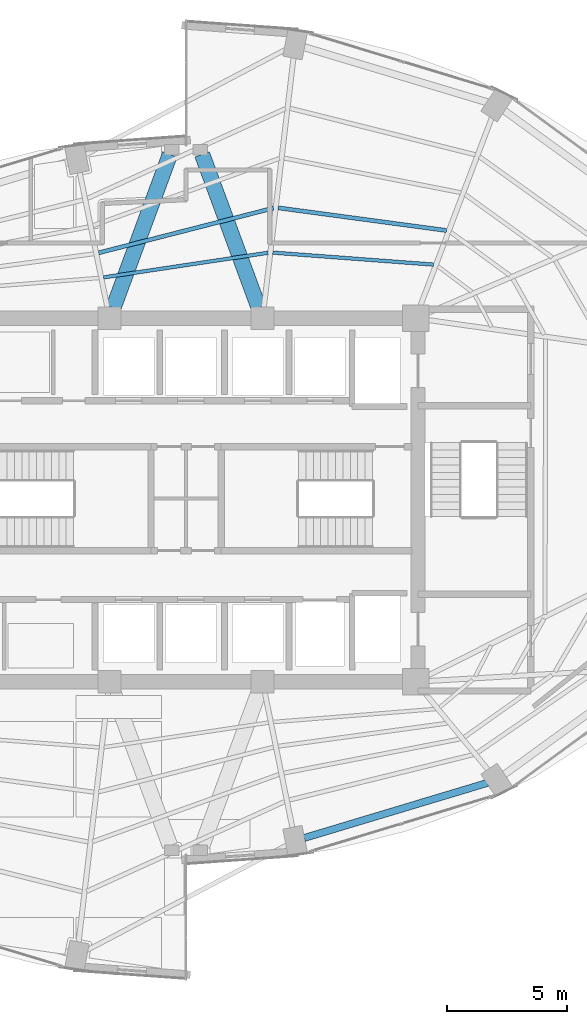
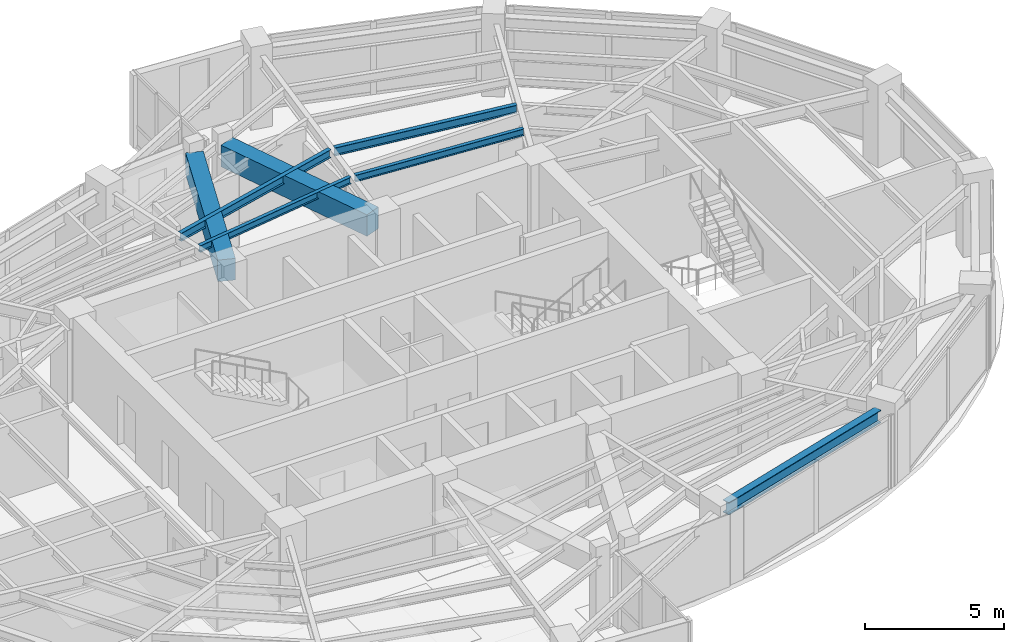
# One storey, part 8 of 20: 7 beams.
"""IFC4 building model written with IfcOpenShell, lengths in metres."""

import ifcopenshell
import ifcopenshell.guid

model = None  # the IFC model being written
_history = None  # IfcOwnerHistory: only IFC2X3 demands one
_inside = {}  # id of a spatial element -> (the spatial element, [elements in it])
_under = {}  # id of a project, library or spatial element -> (it, [spatial elements below it])
_declared = {}  # id of a project -> (the project, [libraries it declares])
_typed = {}  # id of a type object -> (the type object, [elements of that type])
_made_of = {}  # id of a material, layer set ... -> (it, [elements and type objects made of it])


def new_model(schema):
    """Start an empty IFC model of exactly this schema.

    Asked for "IFC4X3", IfcOpenShell would pick the latest addendum, in which some entities
    have other attributes; the version numbers below select the first issue.
    IFC2X3 requires an IfcOwnerHistory on every rooted entity: one is made here for all.
    """
    global model, _history
    if schema == "IFC4X3":
        model = ifcopenshell.file(schema_version=(4, 3, 0, 0))
    else:
        model = ifcopenshell.file(schema=schema)
    _inside.clear()
    _under.clear()
    _declared.clear()
    _typed.clear()
    _made_of.clear()
    _history = None
    if model.schema == "IFC2X3":
        org = make("IfcOrganization", Name="unknown")
        user = make(
            "IfcPersonAndOrganization",
            ThePerson=make("IfcPerson", FamilyName="unknown"),
            TheOrganization=org,
        )
        app = make(
            "IfcApplication",
            ApplicationDeveloper=org,
            Version="unknown",
            ApplicationFullName="unknown",
            ApplicationIdentifier="unknown",
        )
        _history = make(
            "IfcOwnerHistory",
            OwningUser=user,
            OwningApplication=app,
            ChangeAction="ADDED",
            CreationDate=0,
        )
    return model


def make(cls, **values):
    """One entity of the class cls with the attributes given. An attribute that is None is left unset."""
    return model.create_entity(
        cls, **{name: value for name, value in values.items() if value is not None}
    )


def rooted(cls, **values):
    """An entity with a GlobalId (a new one), such as an element, a storey or a relation."""
    return make(cls, GlobalId=ifcopenshell.guid.new(), OwnerHistory=_history, **values)


def si_unit(unit_type, name, prefix=None):
    """IfcSIUnit, for example si_unit("LENGTHUNIT", "METRE", prefix="MILLI")."""
    return make("IfcSIUnit", UnitType=unit_type, Prefix=prefix, Name=name)


def assignment(units):
    """IfcUnitAssignment: the units of a project."""
    return None if units is None else make("IfcUnitAssignment", Units=units)


def point(xyz):
    """IfcCartesianPoint."""
    return None if xyz is None else make("IfcCartesianPoint", Coordinates=xyz)


def direction(xyz):
    """IfcDirection."""
    return None if xyz is None else make("IfcDirection", DirectionRatios=xyz)


def frame(location, z_axis=None, x_axis=None):
    """IfcAxis2Placement3D, a coordinate frame: its origin and axes. An axis left out is left unset."""
    return make(
        "IfcAxis2Placement3D",
        Location=point(location),
        Axis=direction(z_axis),
        RefDirection=direction(x_axis),
    )


def frame_2d(location, x_axis=None):
    """IfcAxis2Placement2D, a coordinate frame in the plane: its origin and x axis."""
    return make(
        "IfcAxis2Placement2D", Location=point(location), RefDirection=direction(x_axis)
    )


def origin():
    """The frame at (0, 0, 0) with its axes left unset."""
    return frame((0.0, 0.0, 0.0))


def origin_2d():
    """The frame at (0, 0) in the plane with its x axis left unset."""
    return frame_2d((0.0, 0.0))


def place(relative_to, where):
    """IfcLocalPlacement: puts the frame where relative to a parent placement (None: the world)."""
    return make(
        "IfcLocalPlacement", PlacementRelTo=relative_to, RelativePlacement=where
    )


def context(
    kind, dimensions, precision=None, world=None, true_north=None, identifier=None
):
    """IfcGeometricRepresentationContext, for example the 3D "Model" context."""
    return make(
        "IfcGeometricRepresentationContext",
        ContextIdentifier=identifier,
        ContextType=kind,
        CoordinateSpaceDimension=dimensions,
        Precision=precision,
        WorldCoordinateSystem=world,
        TrueNorth=true_north,
    )


def subcontext(parent, identifier, kind, view, scale=None):
    """IfcGeometricRepresentationSubContext, for example "Body" below "Model"."""
    return make(
        "IfcGeometricRepresentationSubContext",
        ContextIdentifier=identifier,
        ContextType=kind,
        ParentContext=parent,
        TargetScale=scale,
        TargetView=view,
    )


def project(units=None, contexts=None):
    """IfcProject with its units and contexts."""
    return rooted(
        "IfcProject",
        Name="project",
        RepresentationContexts=contexts,
        UnitsInContext=assignment(units),
    )


def spatial(cls, under=None, at=None, **own):
    """A site, building, storey or space (cls), placed at a placement, below another one or the project."""
    s = rooted(cls, ObjectPlacement=at, **own)
    if under is not None:
        _under.setdefault(under.id(), (under, []))[1].append(s)
    return s


def profile(cls, at=None, kind="AREA", **sizes):
    """A parametric profile (cls). Its sizes go by their IFC names, for example OverallWidth=200.0."""
    return make(cls, ProfileType=kind, Position=at, **sizes)


def rectangle(**sizes):
    """IfcRectangleProfileDef."""
    return profile("IfcRectangleProfileDef", **sizes)


def i_section(**sizes):
    """IfcIShapeProfileDef."""
    return profile("IfcIShapeProfileDef", **sizes)


def extrude(swept, where, along, depth):
    """IfcExtrudedAreaSolid: the profile swept, set in the frame where, extruded along a direction by depth."""
    return make(
        "IfcExtrudedAreaSolid",
        SweptArea=swept,
        Position=where,
        ExtrudedDirection=direction(along),
        Depth=depth,
    )


def shape(context_of_items, identifier, shape_type, items):
    """IfcShapeRepresentation: the items that make up one representation, for example the "Body"."""
    return make(
        "IfcShapeRepresentation",
        ContextOfItems=context_of_items,
        RepresentationIdentifier=identifier,
        RepresentationType=shape_type,
        Items=items,
    )


def material(Name=None, Category=None):
    """IfcMaterial."""
    return make("IfcMaterial", Name=Name, Category=Category)


def material_profile(
    of_material, cross_section, Name=None, Category=None, Priority=None
):
    """IfcMaterialProfile: a cross section and its material."""
    return make(
        "IfcMaterialProfile",
        Name=Name,
        Material=of_material,
        Profile=cross_section,
        Priority=Priority,
        Category=Category,
    )


def profile_set(profiles, Name=None, composite=None):
    """IfcMaterialProfileSet."""
    return make(
        "IfcMaterialProfileSet",
        Name=Name,
        MaterialProfiles=profiles,
        CompositeProfile=composite,
    )


def made_of(thing, what):
    """Note that an element or type object is made of a material, layer set ...; save() writes the relation."""
    if what is not None:
        _made_of.setdefault(what.id(), (what, []))[1].append(thing)
    return thing


def type_object(cls, material=None, **own):
    """A type object (cls), such as IfcWallType, which elements share."""
    return made_of(rooted(cls, **own), material)


def element(
    cls,
    number,
    at=None,
    inside=None,
    cuts=None,
    type_object=None,
    material=None,
    context=None,
    identifier="Body",
    shape_type=None,
    held_by="IfcProductDefinitionShape",
    body=None,
    shapes=None,
    **own,
):
    """One element of the class cls, such as IfcWall. Its Tag is "e" and its number.

    at: its placement. inside: the storey or other place that contains it. cuts: it is an
    opening in that element (IfcRelVoidsElement). A single representation is given by context,
    identifier, shape_type and body (its items); several are given by shapes. held_by: the class
    of the entity that holds the representations. save() writes the other relations.
    """
    e = rooted(cls, Tag="e%d" % number, ObjectPlacement=at, **own)
    if body is not None:
        shapes = [shape(context, identifier, shape_type, body)]
    if shapes is not None:
        e.Representation = make(held_by, Representations=shapes)
    if inside is not None:
        _inside.setdefault(inside.id(), (inside, []))[1].append(e)
    if cuts is not None:
        rooted(
            "IfcRelVoidsElement", RelatingBuildingElement=cuts, RelatedOpeningElement=e
        )
    if type_object is not None:
        _typed.setdefault(type_object.id(), (type_object, []))[1].append(e)
    return made_of(e, material)


def aggregate(whole, parts):
    """IfcRelAggregates: a whole, such as a stair, and the parts it consists of."""
    return rooted("IfcRelAggregates", RelatingObject=whole, RelatedObjects=parts)


def save(model, path):
    """Write the relations noted so far, then the file.

    IfcRelAggregates (storeys below a building ...), IfcRelContainedInSpatialStructure (elements
    in a storey), IfcRelDefinesByType, IfcRelAssociatesMaterial and IfcRelDeclares: one each for
    every whole, place, type object, material and project.
    """
    for whole, parts in _under.values():
        aggregate(whole, parts)
    for where, things in _inside.values():
        rooted(
            "IfcRelContainedInSpatialStructure",
            RelatedElements=things,
            RelatingStructure=where,
        )
    for kind, things in _typed.values():
        rooted("IfcRelDefinesByType", RelatedObjects=things, RelatingType=kind)
    for what, things in _made_of.values():
        rooted("IfcRelAssociatesMaterial", RelatedObjects=things, RelatingMaterial=what)
    for by, libraries in _declared.values():
        rooted("IfcRelDeclares", RelatingContext=by, RelatedDefinitions=libraries)
    model.write(path)


model = new_model("IFC4")

# Units and contexts
model_context = context("Model", 3, precision=1e-05, world=origin(), true_north=direction((0.0, 1.0)))
body_context = subcontext(model_context, "Body", "Model", "MODEL_VIEW")
ifc_project = project(units=[si_unit("LENGTHUNIT", "METRE"), si_unit("AREAUNIT", "SQUARE_METRE"), si_unit("VOLUMEUNIT", "CUBIC_METRE"), si_unit("PLANEANGLEUNIT", "RADIAN"), si_unit("MASSUNIT", "GRAM", prefix="KILO")], contexts=[model_context])

# Site, building, storey
site_placement = place(None, origin())
site = spatial("IfcSite", under=ifc_project, at=site_placement, CompositionType="ELEMENT")
building_placement = place(site_placement, origin())
building = spatial("IfcBuilding", under=site, at=building_placement, Name="Lazwardi Medical Tower", CompositionType="ELEMENT")
storey_placement = place(building_placement, frame((0.0, 0.0, 185.7119140625)))
storey = spatial("IfcBuildingStorey", under=building, at=storey_placement, Name="L48", CompositionType="ELEMENT", Elevation=185.7119140625)

# Beams
ifc_material_1 = material(Name="Concrete C60/75", Category="concrete")
ifc_material_profile_1 = material_profile(ifc_material_1, rectangle(XDim=0.64990234375, YDim=0.949951171875, at=origin_2d()), Name="RC 650x950")
ifc_profile_set_1 = profile_set([ifc_material_profile_1], Name="Concrete C60/75")
beam_type_1 = type_object("IfcBeamType", Name="BM-CB-RC2", PredefinedType="LINTEL", material=ifc_profile_set_1)
for number, where, z_axis, x_axis, name in (
    (1, (32.959228515625, 36.031494140625, 2.72314453125), (0.34601281054, 0.938229787921, 0.0), (-0.938229787921, 0.34601281054, 0.0), "Core coupling lintel CB-02 PL1 L48"),
    (2, (39.040771484375, 36.031494140625, 2.72314453125), (-0.34601281054, 0.938229787921, 0.0), (-0.938229787921, -0.34601281054, 0.0), "Core coupling lintel CB-02 PL2 L48"),
):
    element("IfcBeam", number, at=place(storey_placement, frame(where, z_axis=z_axis, x_axis=x_axis)), inside=storey, type_object=beam_type_1, Name=name, PredefinedType="LINTEL", context=body_context, shape_type="SweptSolid", body=[
        extrude(rectangle(XDim=0.64990234375, YDim=0.949951171875, at=origin_2d()), origin(), (0.0, 0.0, 1.0), 6.84423828125),
    ])
ifc_material_2 = material(Name="Steel S355", Category="steel")
ifc_material_profile_2 = material_profile(ifc_material_2, i_section(OverallWidth=0.300048828125, OverallDepth=0.550048828125, WebThickness=0.014892578125, FlangeThickness=0.029052734375, at=origin_2d()), Name="HEB 550")
ifc_profile_set_2 = profile_set([ifc_material_profile_2], Name="Steel S355")
beam_type_2 = type_object("IfcBeamType", Name="BM-RB-Z3", PredefinedType="BEAM", material=ifc_profile_set_2)
beam_1_placement = place(storey_placement, frame((40.943115234375, 13.866455078125, 2.923095703125), z_axis=(0.957616873483, 0.288045002771, 0.0), x_axis=(-0.288045002771, 0.957616873483, 0.0)))
element("IfcBeam", 3, at=beam_1_placement, inside=storey, type_object=beam_type_2, Name="Ring beam RB-04 B01 L48", PredefinedType="BEAM", context=body_context, shape_type="SweptSolid", body=[
    extrude(i_section(OverallWidth=0.300048828125, OverallDepth=0.550048828125, WebThickness=0.014892578125, FlangeThickness=0.029052734375, at=origin_2d()), origin(), (0.0, 0.0, 1.0), 7.99951171875),
])
ifc_material_profile_3 = material_profile(ifc_material_2, i_section(OverallWidth=0.169921875, OverallDepth=0.360107421875, WebThickness=0.008056640625, FlangeThickness=0.0126953125, at=origin_2d()), Name="IPE 360")
ifc_profile_set_3 = profile_set([ifc_material_profile_3], Name="Steel S355")
beam_type_3 = type_object("IfcBeamType", Name="BM-SJ-02", PredefinedType="JOIST", material=ifc_profile_set_3)
beam_2_placement = place(storey_placement, frame((46.889892578125, 39.269775390625, 3.01806640625), z_axis=(-0.991056291961, 0.133444468468, 0.0), x_axis=(-0.133444468468, -0.991056291961, 0.0)))
element("IfcBeam", 4, at=beam_2_placement, inside=storey, type_object=beam_type_3, Name="Secondary joist SJ-02 R3 B07 L48", PredefinedType="JOIST", context=body_context, shape_type="SweptSolid", body=[
    extrude(i_section(OverallWidth=0.169921875, OverallDepth=0.360107421875, WebThickness=0.008056640625, FlangeThickness=0.0126953125, at=origin_2d()), origin(), (0.0, 0.0, 1.0), 7.10400390625),
])
beam_3_placement = place(storey_placement, frame((39.6533203125, 40.206298828125, 3.01806640625), z_axis=(-0.96877632572, -0.247936344097, 0.0), x_axis=(0.247936344097, -0.96877632572, 0.0)))
element("IfcBeam", 5, at=beam_3_placement, inside=storey, type_object=beam_type_3, Name="Secondary joist SJ-02 R3 B08 L48", PredefinedType="JOIST", context=body_context, shape_type="SweptSolid", body=[
    extrude(i_section(OverallWidth=0.169921875, OverallDepth=0.360107421875, WebThickness=0.008056640625, FlangeThickness=0.0126953125, at=origin_2d()), origin(), (0.0, 0.0, 1.0), 7.546630859375),
])
ifc_material_profile_4 = material_profile(ifc_material_2, i_section(OverallWidth=0.14990234375, OverallDepth=0.300048828125, WebThickness=0.007080078125, FlangeThickness=0.0107421875, at=origin_2d()), Name="IPE 300")
ifc_profile_set_4 = profile_set([ifc_material_profile_4], Name="Steel S355")
beam_type_4 = type_object("IfcBeamType", Name="BM-SJ-03", PredefinedType="JOIST", material=ifc_profile_set_4)
beam_4_placement = place(storey_placement, frame((46.349609375, 37.843505859375, 3.048095703125), z_axis=(-0.99722699261, 0.074419924822, 0.0), x_axis=(-0.074419924822, -0.99722699261, 0.0)))
element("IfcBeam", 6, at=beam_4_placement, inside=storey, type_object=beam_type_4, Name="Secondary joist SJ-03 R4 B07 L48", PredefinedType="JOIST", context=body_context, shape_type="SweptSolid", body=[
    extrude(i_section(OverallWidth=0.14990234375, OverallDepth=0.300048828125, WebThickness=0.007080078125, FlangeThickness=0.0107421875, at=origin_2d()), origin(), (0.0, 0.0, 1.0), 6.74169921875),
])
beam_5_placement = place(storey_placement, frame((39.42822265625, 38.337890625, 3.048095703125), z_axis=(-0.98897469849, -0.148084589835, 0.0), x_axis=(0.148084589835, -0.98897469849, 0.0)))
element("IfcBeam", 7, at=beam_5_placement, inside=storey, type_object=beam_type_4, Name="Secondary joist SJ-03 R4 B08 L48", PredefinedType="JOIST", context=body_context, shape_type="SweptSolid", body=[
    extrude(i_section(OverallWidth=0.14990234375, OverallDepth=0.300048828125, WebThickness=0.007080078125, FlangeThickness=0.0107421875, at=origin_2d()), origin(), (0.0, 0.0, 1.0), 6.952392578125),
])

save(model, "model.ifc")
